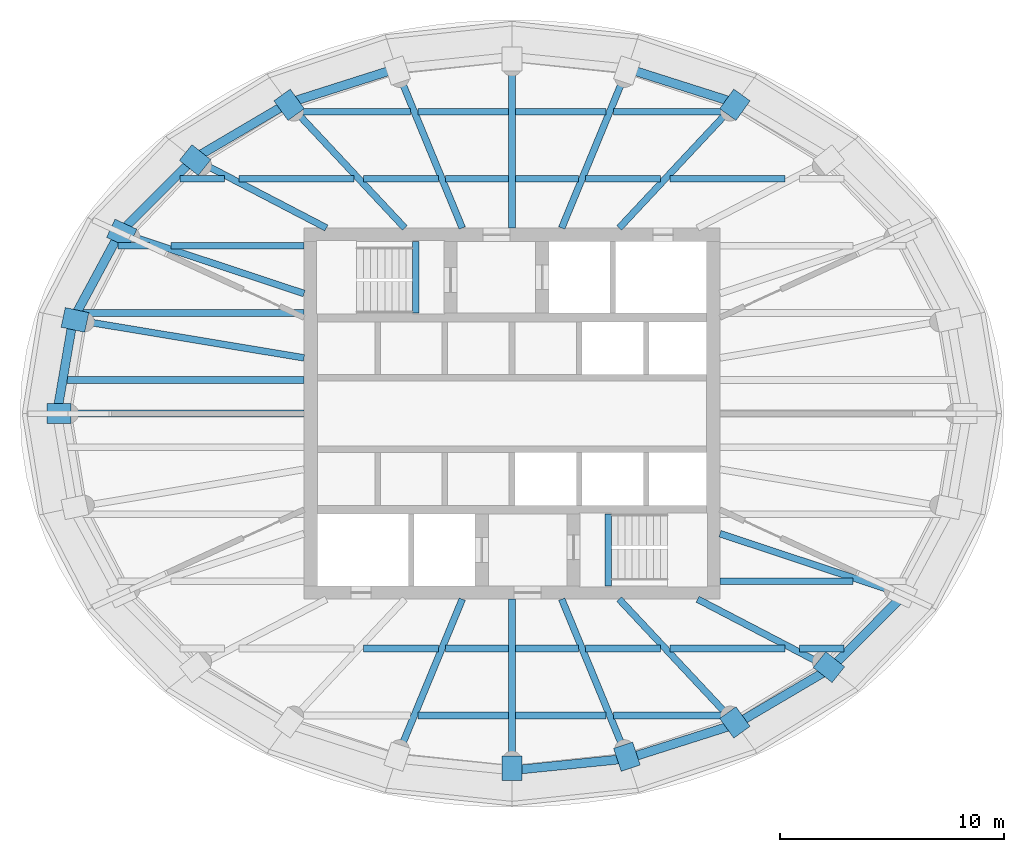
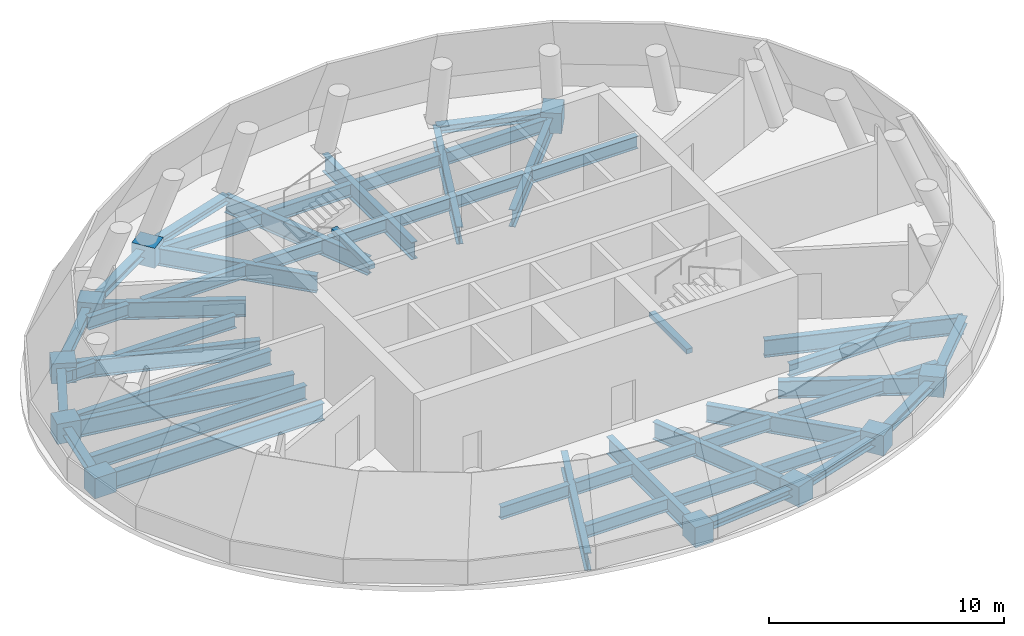
# One storey, part 2 of 6: 62 beams.
"""IFC4 building model written with IfcOpenShell, lengths in metres."""

from ifc_helpers import new_model, si_unit, direction, frame, origin, origin_2d, place, context, subcontext, project, spatial, rectangle, i_section, extrude, material, material_profile, profile_set, type_object, element, save


model = new_model("IFC4")

# Units and contexts
model_context = context("Model", 3, precision=1e-05, world=origin(), true_north=direction((0.0, 1.0)))
body_context = subcontext(model_context, "Body", "Model", "MODEL_VIEW")
ifc_project = project(units=[si_unit("LENGTHUNIT", "METRE"), si_unit("AREAUNIT", "SQUARE_METRE"), si_unit("VOLUMEUNIT", "CUBIC_METRE"), si_unit("PLANEANGLEUNIT", "RADIAN"), si_unit("MASSUNIT", "GRAM", prefix="KILO")], contexts=[model_context])

# Site, building, storey
site_placement = place(None, origin())
site = spatial("IfcSite", under=ifc_project, at=site_placement, CompositionType="ELEMENT")
building_placement = place(site_placement, origin())
building = spatial("IfcBuilding", under=site, at=building_placement, Name="Hankou Lantern Tower", CompositionType="ELEMENT")
storey_placement = place(building_placement, frame((0.0, 0.0, 232.5)))
storey = spatial("IfcBuildingStorey", under=building, at=storey_placement, Name="L63", CompositionType="ELEMENT", Elevation=232.5)

# Beams
ifc_material_1 = material(Name="Steel Q355B", Category="steel")
ifc_material_profile_1 = material_profile(ifc_material_1, i_section(OverallWidth=0.39990234375, OverallDepth=0.39990234375, WebThickness=0.012939453125, FlangeThickness=0.02099609375, FilletRadius=0.02197265625, at=origin_2d()), Name="HW400x400x13x21")
ifc_profile_set_1 = profile_set([ifc_material_profile_1], Name="Steel Q355B")
beam_type_1 = type_object("IfcBeamType", Name="EB19 RING BEAM HW400x400x13x21", PredefinedType="SPANDREL", material=ifc_profile_set_1)
for number, where, z_axis, x_axis, name in (
    (1, (10.01904296875, 13.8828125, -0.449951171875), (-0.952887359315, 0.303324381574, 0.0), (-0.303324381574, -0.952887359315, 0.0), "Ring beam R05-R06 L63"),
    (2, (-5.167236328125, 15.42724609375, -0.449951171875), (-0.952887359315, -0.303324381574, 0.0), (0.303324381574, -0.952887359315, 0.0), "Ring beam R08-R09 L63"),
):
    element("IfcBeam", number, at=place(storey_placement, frame(where, z_axis=z_axis, x_axis=x_axis)), inside=storey, type_object=beam_type_1, Name=name, PredefinedType="SPANDREL", context=body_context, shape_type="SweptSolid", body=[
        extrude(i_section(OverallWidth=0.39990234375, OverallDepth=0.39990234375, WebThickness=0.012939453125, FlangeThickness=0.02099609375, FilletRadius=0.02197265625, at=origin_2d()), origin(), (0.0, 0.0, 1.0), 5.091796875),
    ])
beam_1_placement = place(storey_placement, frame((-10.01904296875, 13.8828125, -0.449951171875), z_axis=(-0.861422897323, -0.507888365655, 0.0), x_axis=(0.507888365655, -0.861422897323, 0.0)))
element("IfcBeam", 3, at=beam_1_placement, inside=storey, type_object=beam_type_1, Name="Ring beam R09-R10 L63", PredefinedType="SPANDREL", context=body_context, shape_type="SweptSolid", body=[
    extrude(i_section(OverallWidth=0.39990234375, OverallDepth=0.39990234375, WebThickness=0.012939453125, FlangeThickness=0.02099609375, FilletRadius=0.02197265625, at=origin_2d()), origin(), (0.0, 0.0, 1.0), 4.901611328125),
])
beam_2_placement = place(storey_placement, frame((-14.241455078125, 11.393310546875, -0.449951171875), z_axis=(-0.706608588034, -0.707604623583, 0.0), x_axis=(0.707604623583, -0.706608588034, 0.0)))
element("IfcBeam", 4, at=beam_2_placement, inside=storey, type_object=beam_type_1, Name="Ring beam R10-R11 L63", PredefinedType="SPANDREL", context=body_context, shape_type="SweptSolid", body=[
    extrude(i_section(OverallWidth=0.39990234375, OverallDepth=0.39990234375, WebThickness=0.012939453125, FlangeThickness=0.02099609375, FilletRadius=0.02197265625, at=origin_2d()), origin(), (0.0, 0.0, 1.0), 4.6572265625),
])
beam_3_placement = place(storey_placement, frame((-17.5322265625, 8.097900390625, -0.449951171875), z_axis=(-0.474491806611, -0.880259919262, 0.0), x_axis=(0.880259919262, -0.474491806611, 0.0)))
element("IfcBeam", 5, at=beam_3_placement, inside=storey, type_object=beam_type_1, Name="Ring beam R11-R12 L63", PredefinedType="SPANDREL", context=body_context, shape_type="SweptSolid", body=[
    extrude(i_section(OverallWidth=0.39990234375, OverallDepth=0.39990234375, WebThickness=0.012939453125, FlangeThickness=0.02099609375, FilletRadius=0.02197265625, at=origin_2d()), origin(), (0.0, 0.0, 1.0), 4.419189453125),
])
beam_4_placement = place(storey_placement, frame((-19.629150390625, 4.207763671875, -0.449951171875), z_axis=(-0.168876512999, -0.98563721691, 0.0), x_axis=(0.98563721691, -0.168876512999, 0.0)))
element("IfcBeam", 6, at=beam_4_placement, inside=storey, type_object=beam_type_1, Name="Ring beam R12-R13 L63", PredefinedType="SPANDREL", context=body_context, shape_type="SweptSolid", body=[
    extrude(i_section(OverallWidth=0.39990234375, OverallDepth=0.39990234375, WebThickness=0.012939453125, FlangeThickness=0.02099609375, FilletRadius=0.02197265625, at=origin_2d()), origin(), (0.0, 0.0, 1.0), 4.26904296875),
])
beam_5_placement = place(storey_placement, frame((0.0, -15.949951171875, -0.449951171875), z_axis=(0.994922507736, 0.100643944676, 0.0), x_axis=(-0.100643944676, 0.994922507736, 0.0)))
element("IfcBeam", 7, at=beam_5_placement, inside=storey, type_object=beam_type_1, Name="Ring beam R19-R20 L63", PredefinedType="SPANDREL", context=body_context, shape_type="SweptSolid", body=[
    extrude(i_section(OverallWidth=0.39990234375, OverallDepth=0.39990234375, WebThickness=0.012939453125, FlangeThickness=0.02099609375, FilletRadius=0.02197265625, at=origin_2d()), origin(), (0.0, 0.0, 1.0), 5.193603515625),
])
beam_6_placement = place(storey_placement, frame((5.167236328125, -15.42724609375, -0.449951171875), z_axis=(0.952887359315, 0.303324381574, 0.0), x_axis=(-0.303324381574, 0.952887359315, 0.0)))
element("IfcBeam", 8, at=beam_6_placement, inside=storey, type_object=beam_type_1, Name="Ring beam R20-R21 L63", PredefinedType="SPANDREL", context=body_context, shape_type="SweptSolid", body=[
    extrude(i_section(OverallWidth=0.39990234375, OverallDepth=0.39990234375, WebThickness=0.012939453125, FlangeThickness=0.02099609375, FilletRadius=0.02197265625, at=origin_2d()), origin(), (0.0, 0.0, 1.0), 5.091796875),
])
beam_7_placement = place(storey_placement, frame((10.01904296875, -13.8828125, -0.449951171875), z_axis=(0.861422897323, 0.507888365655, 0.0), x_axis=(-0.507888365655, 0.861422897323, 0.0)))
element("IfcBeam", 9, at=beam_7_placement, inside=storey, type_object=beam_type_1, Name="Ring beam R21-R22 L63", PredefinedType="SPANDREL", context=body_context, shape_type="SweptSolid", body=[
    extrude(i_section(OverallWidth=0.39990234375, OverallDepth=0.39990234375, WebThickness=0.012939453125, FlangeThickness=0.02099609375, FilletRadius=0.02197265625, at=origin_2d()), origin(), (0.0, 0.0, 1.0), 4.901611328125),
])
beam_8_placement = place(storey_placement, frame((14.241455078125, -11.393310546875, -0.449951171875), z_axis=(0.706608588034, 0.707604623583, 0.0), x_axis=(-0.707604623583, 0.706608588034, 0.0)))
element("IfcBeam", 10, at=beam_8_placement, inside=storey, type_object=beam_type_1, Name="Ring beam R22-R23 L63", PredefinedType="SPANDREL", context=body_context, shape_type="SweptSolid", body=[
    extrude(i_section(OverallWidth=0.39990234375, OverallDepth=0.39990234375, WebThickness=0.012939453125, FlangeThickness=0.02099609375, FilletRadius=0.02197265625, at=origin_2d()), origin(), (0.0, 0.0, 1.0), 4.6572265625),
])
ifc_material_2 = material(Name="Concrete C40", Category="concrete")
ifc_material_profile_2 = material_profile(ifc_material_2, rectangle(XDim=0.300048828125, YDim=0.25, at=origin_2d()), Name="RC 300x250")
ifc_profile_set_2 = profile_set([ifc_material_profile_2], Name="Concrete C40")
beam_type_2 = type_object("IfcBeamType", Name="LB1 STAIR LANDING BEAM RC 300x250", PredefinedType="BEAM", material=ifc_profile_set_2)
for number, where, z_axis, x_axis, name in (
    (11, (-4.300048828125, 4.5, 2.27490234375), (0.0, 1.0, 0.0), (-1.0, 0.0, 0.0), "Stair STA landing beam L63"),
    (12, (4.300048828125, -4.5, 2.27490234375), (0.0, -1.0, 0.0), (1.0, 0.0, 0.0), "Stair STB landing beam L63"),
):
    element("IfcBeam", number, at=place(storey_placement, frame(where, z_axis=z_axis, x_axis=x_axis)), inside=storey, type_object=beam_type_2, Name=name, PredefinedType="BEAM", context=body_context, shape_type="SweptSolid", body=[
        extrude(rectangle(XDim=0.300048828125, YDim=0.25, at=origin_2d()), origin(), (0.0, 0.0, 1.0), 3.199951171875),
    ])
ifc_material_3 = material(Name="Steel Q355B", Category="steel")
ifc_material_profile_3 = material_profile(ifc_material_3, i_section(OverallWidth=0.300048828125, OverallDepth=0.89990234375, WebThickness=0.01611328125, FlangeThickness=0.028076171875, FilletRadius=0.01806640625, at=origin_2d()), Name="HN900x300x16x28")
ifc_profile_set_3 = profile_set([ifc_material_profile_3], Name="Steel Q355B")
beam_type_3 = type_object("IfcBeamType", Name="RB13 RADIAL BEAM HN900x300x16x28", PredefinedType="BEAM", material=ifc_profile_set_3)
beam_9_placement = place(storey_placement, frame((4.7919921875, 8.300048828125, -0.699951171875), z_axis=(0.68346844743, 0.729980055459, 0.0), x_axis=(-0.729980055459, 0.68346844743, 0.0)))
element("IfcBeam", 13, at=beam_9_placement, inside=storey, type_object=beam_type_3, Name="Radial beam R05 L63", PredefinedType="BEAM", context=body_context, shape_type="SweptSolid", body=[
    extrude(i_section(OverallWidth=0.300048828125, OverallDepth=0.89990234375, WebThickness=0.01611328125, FlangeThickness=0.028076171875, FilletRadius=0.01806640625, at=origin_2d()), origin(), (0.0, 0.0, 1.0), 7.64794921875),
])
beam_10_placement = place(storey_placement, frame((2.223876953125, 8.300048828125, -0.699951171875), z_axis=(0.381706648123, 0.924283525104, 0.0), x_axis=(-0.924283525104, 0.381706648123, 0.0)))
element("IfcBeam", 14, at=beam_10_placement, inside=storey, type_object=beam_type_3, Name="Radial beam R06 L63", PredefinedType="BEAM", context=body_context, shape_type="SweptSolid", body=[
    extrude(i_section(OverallWidth=0.300048828125, OverallDepth=0.89990234375, WebThickness=0.01611328125, FlangeThickness=0.028076171875, FilletRadius=0.01806640625, at=origin_2d()), origin(), (0.0, 0.0, 1.0), 7.7109375),
])
beam_11_placement = place(storey_placement, frame((0.0, 8.300048828125, -0.699951171875), z_axis=(0.0, 1.0, 0.0), x_axis=(-1.0, 0.0, 0.0)))
element("IfcBeam", 15, at=beam_11_placement, inside=storey, type_object=beam_type_3, Name="Radial beam R07 L63", PredefinedType="BEAM", context=body_context, shape_type="SweptSolid", body=[
    extrude(i_section(OverallWidth=0.300048828125, OverallDepth=0.89990234375, WebThickness=0.01611328125, FlangeThickness=0.028076171875, FilletRadius=0.01806640625, at=origin_2d()), origin(), (0.0, 0.0, 1.0), 7.64990234375),
])
beam_12_placement = place(storey_placement, frame((-2.223876953125, 8.300048828125, -0.699951171875), z_axis=(-0.381706648123, 0.924283525104, 0.0), x_axis=(-0.924283525104, -0.381706648123, 0.0)))
element("IfcBeam", 16, at=beam_12_placement, inside=storey, type_object=beam_type_3, Name="Radial beam R08 L63", PredefinedType="BEAM", context=body_context, shape_type="SweptSolid", body=[
    extrude(i_section(OverallWidth=0.300048828125, OverallDepth=0.89990234375, WebThickness=0.01611328125, FlangeThickness=0.028076171875, FilletRadius=0.01806640625, at=origin_2d()), origin(), (0.0, 0.0, 1.0), 7.7109375),
])
beam_13_placement = place(storey_placement, frame((-4.7919921875, 8.300048828125, -0.699951171875), z_axis=(-0.68346844743, 0.729980055459, 0.0), x_axis=(-0.729980055459, -0.68346844743, 0.0)))
element("IfcBeam", 17, at=beam_13_placement, inside=storey, type_object=beam_type_3, Name="Radial beam R09 L63", PredefinedType="BEAM", context=body_context, shape_type="SweptSolid", body=[
    extrude(i_section(OverallWidth=0.300048828125, OverallDepth=0.89990234375, WebThickness=0.01611328125, FlangeThickness=0.028076171875, FilletRadius=0.01806640625, at=origin_2d()), origin(), (0.0, 0.0, 1.0), 7.64794921875),
])
beam_14_placement = place(storey_placement, frame((-8.300048828125, 8.300048828125, -0.699951171875), z_axis=(-0.886988734783, 0.461791061378, 0.0), x_axis=(-0.461791061378, -0.886988734783, 0.0)))
element("IfcBeam", 18, at=beam_14_placement, inside=storey, type_object=beam_type_3, Name="Radial beam R10 L63", PredefinedType="BEAM", context=body_context, shape_type="SweptSolid", body=[
    extrude(i_section(OverallWidth=0.300048828125, OverallDepth=0.89990234375, WebThickness=0.01611328125, FlangeThickness=0.028076171875, FilletRadius=0.01806640625, at=origin_2d()), origin(), (0.0, 0.0, 1.0), 6.698486328125),
])
beam_15_placement = place(storey_placement, frame((-9.300048828125, 5.369384765625, -0.699951171875), z_axis=(-0.949219608576, 0.314614263337, 0.0), x_axis=(-0.314614263337, -0.949219608576, 0.0)))
element("IfcBeam", 19, at=beam_15_placement, inside=storey, type_object=beam_type_3, Name="Radial beam R11 L63", PredefinedType="BEAM", context=body_context, shape_type="SweptSolid", body=[
    extrude(i_section(OverallWidth=0.300048828125, OverallDepth=0.89990234375, WebThickness=0.01611328125, FlangeThickness=0.028076171875, FilletRadius=0.01806640625, at=origin_2d()), origin(), (0.0, 0.0, 1.0), 8.672607421875),
])
beam_16_placement = place(storey_placement, frame((-9.300048828125, 2.491943359375, -0.699951171875), z_axis=(-0.986482007061, 0.163869612027, 0.0), x_axis=(-0.163869612027, -0.986482007061, 0.0)))
element("IfcBeam", 20, at=beam_16_placement, inside=storey, type_object=beam_type_3, Name="Radial beam R12 L63", PredefinedType="BEAM", context=body_context, shape_type="SweptSolid", body=[
    extrude(i_section(OverallWidth=0.300048828125, OverallDepth=0.89990234375, WebThickness=0.01611328125, FlangeThickness=0.028076171875, FilletRadius=0.01806640625, at=origin_2d()), origin(), (0.0, 0.0, 1.0), 10.470703125),
])
beam_17_placement = place(storey_placement, frame((-9.300048828125, 0.0, -0.699951171875), z_axis=(-1.0, 0.0, 0.0), x_axis=(0.0, -1.0, 0.0)))
element("IfcBeam", 21, at=beam_17_placement, inside=storey, type_object=beam_type_3, Name="Radial beam R13 L63", PredefinedType="BEAM", context=body_context, shape_type="SweptSolid", body=[
    extrude(i_section(OverallWidth=0.300048828125, OverallDepth=0.89990234375, WebThickness=0.01611328125, FlangeThickness=0.028076171875, FilletRadius=0.01806640625, at=origin_2d()), origin(), (0.0, 0.0, 1.0), 11.050048828125),
])
beam_18_placement = place(storey_placement, frame((-2.223876953125, -8.300048828125, -0.699951171875), z_axis=(-0.381706648123, -0.924283525104, 0.0), x_axis=(0.924283525104, -0.381706648123, 0.0)))
element("IfcBeam", 22, at=beam_18_placement, inside=storey, type_object=beam_type_3, Name="Radial beam R18 L63", PredefinedType="BEAM", context=body_context, shape_type="SweptSolid", body=[
    extrude(i_section(OverallWidth=0.300048828125, OverallDepth=0.89990234375, WebThickness=0.01611328125, FlangeThickness=0.028076171875, FilletRadius=0.01806640625, at=origin_2d()), origin(), (0.0, 0.0, 1.0), 7.7109375),
])
beam_19_placement = place(storey_placement, frame((0.0, -8.300048828125, -0.699951171875), z_axis=(0.0, -1.0, 0.0), x_axis=(1.0, 0.0, 0.0)))
element("IfcBeam", 23, at=beam_19_placement, inside=storey, type_object=beam_type_3, Name="Radial beam R19 L63", PredefinedType="BEAM", context=body_context, shape_type="SweptSolid", body=[
    extrude(i_section(OverallWidth=0.300048828125, OverallDepth=0.89990234375, WebThickness=0.01611328125, FlangeThickness=0.028076171875, FilletRadius=0.01806640625, at=origin_2d()), origin(), (0.0, 0.0, 1.0), 7.64990234375),
])
beam_20_placement = place(storey_placement, frame((2.223876953125, -8.300048828125, -0.699951171875), z_axis=(0.381706648123, -0.924283525104, 0.0), x_axis=(0.924283525104, 0.381706648123, 0.0)))
element("IfcBeam", 24, at=beam_20_placement, inside=storey, type_object=beam_type_3, Name="Radial beam R20 L63", PredefinedType="BEAM", context=body_context, shape_type="SweptSolid", body=[
    extrude(i_section(OverallWidth=0.300048828125, OverallDepth=0.89990234375, WebThickness=0.01611328125, FlangeThickness=0.028076171875, FilletRadius=0.01806640625, at=origin_2d()), origin(), (0.0, 0.0, 1.0), 7.7109375),
])
beam_21_placement = place(storey_placement, frame((4.7919921875, -8.300048828125, -0.699951171875), z_axis=(0.68346844743, -0.729980055459, 0.0), x_axis=(0.729980055459, 0.68346844743, 0.0)))
element("IfcBeam", 25, at=beam_21_placement, inside=storey, type_object=beam_type_3, Name="Radial beam R21 L63", PredefinedType="BEAM", context=body_context, shape_type="SweptSolid", body=[
    extrude(i_section(OverallWidth=0.300048828125, OverallDepth=0.89990234375, WebThickness=0.01611328125, FlangeThickness=0.028076171875, FilletRadius=0.01806640625, at=origin_2d()), origin(), (0.0, 0.0, 1.0), 7.64794921875),
])
beam_22_placement = place(storey_placement, frame((8.300048828125, -8.300048828125, -0.699951171875), z_axis=(0.886988734783, -0.461791061378, 0.0), x_axis=(0.461791061378, 0.886988734783, 0.0)))
element("IfcBeam", 26, at=beam_22_placement, inside=storey, type_object=beam_type_3, Name="Radial beam R22 L63", PredefinedType="BEAM", context=body_context, shape_type="SweptSolid", body=[
    extrude(i_section(OverallWidth=0.300048828125, OverallDepth=0.89990234375, WebThickness=0.01611328125, FlangeThickness=0.028076171875, FilletRadius=0.01806640625, at=origin_2d()), origin(), (0.0, 0.0, 1.0), 6.698486328125),
])
beam_23_placement = place(storey_placement, frame((9.300048828125, -5.369384765625, -0.699951171875), z_axis=(0.949219608576, -0.314614263337, 0.0), x_axis=(0.314614263337, 0.949219608576, 0.0)))
element("IfcBeam", 27, at=beam_23_placement, inside=storey, type_object=beam_type_3, Name="Radial beam R23 L63", PredefinedType="BEAM", context=body_context, shape_type="SweptSolid", body=[
    extrude(i_section(OverallWidth=0.300048828125, OverallDepth=0.89990234375, WebThickness=0.01611328125, FlangeThickness=0.028076171875, FilletRadius=0.01806640625, at=origin_2d()), origin(), (0.0, 0.0, 1.0), 8.672607421875),
])
ifc_material_4 = material(Name="Steel Q355B", Category="steel")
ifc_material_profile_4 = material_profile(ifc_material_4, i_section(OverallWidth=0.300048828125, OverallDepth=0.75, WebThickness=0.012939453125, FlangeThickness=0.02392578125, FilletRadius=0.01806640625, at=origin_2d()), Name="HN750x300x13x24")
ifc_profile_set_4 = profile_set([ifc_material_profile_4], Name="Steel Q355B")
beam_type_4 = type_object("IfcBeamType", Name="SB10 SECONDARY BEAM HN750x300x13x24", PredefinedType="JOIST", material=ifc_profile_set_4)
beam_24_placement = place(storey_placement, frame((-19.89013671875, 1.5, -0.625), z_axis=(1.0, 0.0, 0.0), x_axis=(0.0, 1.0, 0.0)))
element("IfcBeam", 28, at=beam_24_placement, inside=storey, type_object=beam_type_4, Name="Floor joist J021 L63", PredefinedType="JOIST", context=body_context, shape_type="SweptSolid", body=[
    extrude(i_section(OverallWidth=0.300048828125, OverallDepth=0.75, WebThickness=0.012939453125, FlangeThickness=0.02392578125, FilletRadius=0.01806640625, at=origin_2d()), origin(), (0.0, 0.0, 1.0), 10.590087890625),
])
beam_25_placement = place(storey_placement, frame((-19.244384765625, 4.5, -0.625), z_axis=(1.0, 0.0, 0.0), x_axis=(0.0, 1.0, 0.0)))
element("IfcBeam", 29, at=beam_25_placement, inside=storey, type_object=beam_type_4, Name="Floor joist J023 L63", PredefinedType="JOIST", context=body_context, shape_type="SweptSolid", body=[
    extrude(i_section(OverallWidth=0.300048828125, OverallDepth=0.75, WebThickness=0.012939453125, FlangeThickness=0.02392578125, FilletRadius=0.01806640625, at=origin_2d()), origin(), (0.0, 0.0, 1.0), 9.9443359375),
])
ifc_material_5 = material(Name="Steel Q355B", Category="steel")
ifc_material_profile_5 = material_profile(ifc_material_5, i_section(OverallWidth=0.300048828125, OverallDepth=0.64990234375, WebThickness=0.010986328125, FlangeThickness=0.01708984375, FilletRadius=0.01806640625, at=origin_2d()), Name="HN650x300x11x17")
ifc_profile_set_5 = profile_set([ifc_material_profile_5], Name="Steel Q355B")
beam_type_5 = type_object("IfcBeamType", Name="SB8 SECONDARY BEAM HN650x300x11x17", PredefinedType="JOIST", material=ifc_profile_set_5)
for number, where, z_axis, x_axis, name in (
    (30, (-4.208984375, -13.5, -0.574951171875), (1.0, 0.0, 0.0), (0.0, 1.0, 0.0), "Floor joist J002 L63"),
    (31, (0.14990234375, -13.5, -0.574951171875), (1.0, 0.0, 0.0), (0.0, 1.0, 0.0), "Floor joist J003 L63"),
):
    element("IfcBeam", number, at=place(storey_placement, frame(where, z_axis=z_axis, x_axis=x_axis)), inside=storey, type_object=beam_type_5, Name=name, PredefinedType="JOIST", context=body_context, shape_type="SweptSolid", body=[
        extrude(i_section(OverallWidth=0.300048828125, OverallDepth=0.64990234375, WebThickness=0.010986328125, FlangeThickness=0.01708984375, FilletRadius=0.01806640625, at=origin_2d()), origin(), (0.0, 0.0, 1.0), 4.05908203125),
    ])
beam_26_placement = place(storey_placement, frame((4.53369140625, -13.5, -0.574951171875), z_axis=(1.0, 0.0, 0.0), x_axis=(0.0, 1.0, 0.0)))
element("IfcBeam", 32, at=beam_26_placement, inside=storey, type_object=beam_type_5, Name="Floor joist J004 L63", PredefinedType="JOIST", context=body_context, shape_type="SweptSolid", body=[
    extrude(i_section(OverallWidth=0.300048828125, OverallDepth=0.64990234375, WebThickness=0.010986328125, FlangeThickness=0.01708984375, FilletRadius=0.01806640625, at=origin_2d()), origin(), (0.0, 0.0, 1.0), 4.92138671875),
])
beam_27_placement = place(storey_placement, frame((-6.646240234375, -10.5, -0.574951171875), z_axis=(1.0, 0.0, 0.0), x_axis=(0.0, 1.0, 0.0)))
element("IfcBeam", 33, at=beam_27_placement, inside=storey, type_object=beam_type_5, Name="Floor joist J007 L63", PredefinedType="JOIST", context=body_context, shape_type="SweptSolid", body=[
    extrude(i_section(OverallWidth=0.300048828125, OverallDepth=0.64990234375, WebThickness=0.010986328125, FlangeThickness=0.01708984375, FilletRadius=0.01806640625, at=origin_2d()), origin(), (0.0, 0.0, 1.0), 3.3515625),
])
for number, where, z_axis, x_axis, name in (
    (34, (-2.97021484375, -10.5, -0.574951171875), (1.0, 0.0, 0.0), (0.0, 1.0, 0.0), "Floor joist J008 L63"),
    (35, (0.14990234375, -10.5, -0.574951171875), (1.0, 0.0, 0.0), (0.0, 1.0, 0.0), "Floor joist J009 L63"),
):
    element("IfcBeam", number, at=place(storey_placement, frame(where, z_axis=z_axis, x_axis=x_axis)), inside=storey, type_object=beam_type_5, Name=name, PredefinedType="JOIST", context=body_context, shape_type="SweptSolid", body=[
        extrude(i_section(OverallWidth=0.300048828125, OverallDepth=0.64990234375, WebThickness=0.010986328125, FlangeThickness=0.01708984375, FilletRadius=0.01806640625, at=origin_2d()), origin(), (0.0, 0.0, 1.0), 2.8203125),
    ])
beam_28_placement = place(storey_placement, frame((3.294677734375, -10.5, -0.574951171875), z_axis=(1.0, 0.0, 0.0), x_axis=(0.0, 1.0, 0.0)))
element("IfcBeam", 36, at=beam_28_placement, inside=storey, type_object=beam_type_5, Name="Floor joist J010 L63", PredefinedType="JOIST", context=body_context, shape_type="SweptSolid", body=[
    extrude(i_section(OverallWidth=0.300048828125, OverallDepth=0.64990234375, WebThickness=0.010986328125, FlangeThickness=0.01708984375, FilletRadius=0.01806640625, at=origin_2d()), origin(), (0.0, 0.0, 1.0), 3.3515625),
])
beam_29_placement = place(storey_placement, frame((7.057373046875, -10.5, -0.574951171875), z_axis=(1.0, 0.0, 0.0), x_axis=(0.0, 1.0, 0.0)))
element("IfcBeam", 37, at=beam_29_placement, inside=storey, type_object=beam_type_5, Name="Floor joist J011 L63", PredefinedType="JOIST", context=body_context, shape_type="SweptSolid", body=[
    extrude(i_section(OverallWidth=0.300048828125, OverallDepth=0.64990234375, WebThickness=0.010986328125, FlangeThickness=0.01708984375, FilletRadius=0.01806640625, at=origin_2d()), origin(), (0.0, 0.0, 1.0), 5.1435546875),
])
beam_30_placement = place(storey_placement, frame((12.8505859375, -10.5, -0.574951171875), z_axis=(1.0, 0.0, 0.0), x_axis=(0.0, 1.0, 0.0)))
element("IfcBeam", 38, at=beam_30_placement, inside=storey, type_object=beam_type_5, Name="Floor joist J012 L63", PredefinedType="JOIST", context=body_context, shape_type="SweptSolid", body=[
    extrude(i_section(OverallWidth=0.300048828125, OverallDepth=0.64990234375, WebThickness=0.010986328125, FlangeThickness=0.01708984375, FilletRadius=0.01806640625, at=origin_2d()), origin(), (0.0, 0.0, 1.0), 2.000244140625),
])
beam_31_placement = place(storey_placement, frame((9.300048828125, -7.5, -0.574951171875), z_axis=(1.0, 0.0, 0.0), x_axis=(0.0, 1.0, 0.0)))
element("IfcBeam", 39, at=beam_31_placement, inside=storey, type_object=beam_type_5, Name="Floor joist J015 L63", PredefinedType="JOIST", context=body_context, shape_type="SweptSolid", body=[
    extrude(i_section(OverallWidth=0.300048828125, OverallDepth=0.64990234375, WebThickness=0.010986328125, FlangeThickness=0.01708984375, FilletRadius=0.01806640625, at=origin_2d()), origin(), (0.0, 0.0, 1.0), 5.95166015625),
])
beam_32_placement = place(storey_placement, frame((-17.627197265625, 7.5, -0.574951171875), z_axis=(1.0, 0.0, 0.0), x_axis=(0.0, 1.0, 0.0)))
element("IfcBeam", 40, at=beam_32_placement, inside=storey, type_object=beam_type_5, Name="Floor joist J025 L63", PredefinedType="JOIST", context=body_context, shape_type="SweptSolid", body=[
    extrude(i_section(OverallWidth=0.300048828125, OverallDepth=0.64990234375, WebThickness=0.010986328125, FlangeThickness=0.01708984375, FilletRadius=0.01806640625, at=origin_2d()), origin(), (0.0, 0.0, 1.0), 1.421875),
])
beam_33_placement = place(storey_placement, frame((-15.251708984375, 7.5, -0.574951171875), z_axis=(1.0, 0.0, 0.0), x_axis=(0.0, 1.0, 0.0)))
element("IfcBeam", 41, at=beam_33_placement, inside=storey, type_object=beam_type_5, Name="Floor joist J026 L63", PredefinedType="JOIST", context=body_context, shape_type="SweptSolid", body=[
    extrude(i_section(OverallWidth=0.300048828125, OverallDepth=0.64990234375, WebThickness=0.010986328125, FlangeThickness=0.01708984375, FilletRadius=0.01806640625, at=origin_2d()), origin(), (0.0, 0.0, 1.0), 5.95166015625),
])
beam_34_placement = place(storey_placement, frame((-14.850830078125, 10.5, -0.574951171875), z_axis=(1.0, 0.0, 0.0), x_axis=(0.0, 1.0, 0.0)))
element("IfcBeam", 42, at=beam_34_placement, inside=storey, type_object=beam_type_5, Name="Floor joist J029 L63", PredefinedType="JOIST", context=body_context, shape_type="SweptSolid", body=[
    extrude(i_section(OverallWidth=0.300048828125, OverallDepth=0.64990234375, WebThickness=0.010986328125, FlangeThickness=0.01708984375, FilletRadius=0.01806640625, at=origin_2d()), origin(), (0.0, 0.0, 1.0), 2.000244140625),
])
beam_35_placement = place(storey_placement, frame((-12.200927734375, 10.5, -0.574951171875), z_axis=(1.0, 0.0, 0.0), x_axis=(0.0, 1.0, 0.0)))
element("IfcBeam", 43, at=beam_35_placement, inside=storey, type_object=beam_type_5, Name="Floor joist J030 L63", PredefinedType="JOIST", context=body_context, shape_type="SweptSolid", body=[
    extrude(i_section(OverallWidth=0.300048828125, OverallDepth=0.64990234375, WebThickness=0.010986328125, FlangeThickness=0.01708984375, FilletRadius=0.01806640625, at=origin_2d()), origin(), (0.0, 0.0, 1.0), 5.1435546875),
])
beam_36_placement = place(storey_placement, frame((-6.646240234375, 10.5, -0.574951171875), z_axis=(1.0, 0.0, 0.0), x_axis=(0.0, 1.0, 0.0)))
element("IfcBeam", 44, at=beam_36_placement, inside=storey, type_object=beam_type_5, Name="Floor joist J031 L63", PredefinedType="JOIST", context=body_context, shape_type="SweptSolid", body=[
    extrude(i_section(OverallWidth=0.300048828125, OverallDepth=0.64990234375, WebThickness=0.010986328125, FlangeThickness=0.01708984375, FilletRadius=0.01806640625, at=origin_2d()), origin(), (0.0, 0.0, 1.0), 3.3515625),
])
for number, where, z_axis, x_axis, name in (
    (45, (-2.97021484375, 10.5, -0.574951171875), (1.0, 0.0, 0.0), (0.0, 1.0, 0.0), "Floor joist J032 L63"),
    (46, (0.14990234375, 10.5, -0.574951171875), (1.0, 0.0, 0.0), (0.0, 1.0, 0.0), "Floor joist J033 L63"),
):
    element("IfcBeam", number, at=place(storey_placement, frame(where, z_axis=z_axis, x_axis=x_axis)), inside=storey, type_object=beam_type_5, Name=name, PredefinedType="JOIST", context=body_context, shape_type="SweptSolid", body=[
        extrude(i_section(OverallWidth=0.300048828125, OverallDepth=0.64990234375, WebThickness=0.010986328125, FlangeThickness=0.01708984375, FilletRadius=0.01806640625, at=origin_2d()), origin(), (0.0, 0.0, 1.0), 2.8203125),
    ])
beam_37_placement = place(storey_placement, frame((3.294677734375, 10.5, -0.574951171875), z_axis=(1.0, 0.0, 0.0), x_axis=(0.0, 1.0, 0.0)))
element("IfcBeam", 47, at=beam_37_placement, inside=storey, type_object=beam_type_5, Name="Floor joist J034 L63", PredefinedType="JOIST", context=body_context, shape_type="SweptSolid", body=[
    extrude(i_section(OverallWidth=0.300048828125, OverallDepth=0.64990234375, WebThickness=0.010986328125, FlangeThickness=0.01708984375, FilletRadius=0.01806640625, at=origin_2d()), origin(), (0.0, 0.0, 1.0), 3.3515625),
])
beam_38_placement = place(storey_placement, frame((7.057373046875, 10.5, -0.574951171875), z_axis=(1.0, 0.0, 0.0), x_axis=(0.0, 1.0, 0.0)))
element("IfcBeam", 48, at=beam_38_placement, inside=storey, type_object=beam_type_5, Name="Floor joist J035 L63", PredefinedType="JOIST", context=body_context, shape_type="SweptSolid", body=[
    extrude(i_section(OverallWidth=0.300048828125, OverallDepth=0.64990234375, WebThickness=0.010986328125, FlangeThickness=0.01708984375, FilletRadius=0.01806640625, at=origin_2d()), origin(), (0.0, 0.0, 1.0), 5.1435546875),
])
beam_39_placement = place(storey_placement, frame((-9.455078125, 13.5, -0.574951171875), z_axis=(1.0, 0.0, 0.0), x_axis=(0.0, 1.0, 0.0)))
element("IfcBeam", 49, at=beam_39_placement, inside=storey, type_object=beam_type_5, Name="Floor joist J037 L63", PredefinedType="JOIST", context=body_context, shape_type="SweptSolid", body=[
    extrude(i_section(OverallWidth=0.300048828125, OverallDepth=0.64990234375, WebThickness=0.010986328125, FlangeThickness=0.01708984375, FilletRadius=0.01806640625, at=origin_2d()), origin(), (0.0, 0.0, 1.0), 4.92138671875),
])
for number, where, z_axis, x_axis, name in (
    (50, (-4.208984375, 13.5, -0.574951171875), (1.0, 0.0, 0.0), (0.0, 1.0, 0.0), "Floor joist J038 L63"),
    (51, (0.14990234375, 13.5, -0.574951171875), (1.0, 0.0, 0.0), (0.0, 1.0, 0.0), "Floor joist J039 L63"),
):
    element("IfcBeam", number, at=place(storey_placement, frame(where, z_axis=z_axis, x_axis=x_axis)), inside=storey, type_object=beam_type_5, Name=name, PredefinedType="JOIST", context=body_context, shape_type="SweptSolid", body=[
        extrude(i_section(OverallWidth=0.300048828125, OverallDepth=0.64990234375, WebThickness=0.010986328125, FlangeThickness=0.01708984375, FilletRadius=0.01806640625, at=origin_2d()), origin(), (0.0, 0.0, 1.0), 4.05908203125),
    ])
beam_40_placement = place(storey_placement, frame((4.53369140625, 13.5, -0.574951171875), z_axis=(1.0, 0.0, 0.0), x_axis=(0.0, 1.0, 0.0)))
element("IfcBeam", 52, at=beam_40_placement, inside=storey, type_object=beam_type_5, Name="Floor joist J040 L63", PredefinedType="JOIST", context=body_context, shape_type="SweptSolid", body=[
    extrude(i_section(OverallWidth=0.300048828125, OverallDepth=0.64990234375, WebThickness=0.010986328125, FlangeThickness=0.01708984375, FilletRadius=0.01806640625, at=origin_2d()), origin(), (0.0, 0.0, 1.0), 4.92138671875),
])
ifc_material_6 = material(Name="Concrete C50", Category="concrete")
ifc_material_profile_6 = material_profile(ifc_material_6, rectangle(XDim=0.89990234375, YDim=1.050048828125, at=origin_2d()), Name="RC 900x1050")
ifc_profile_set_6 = profile_set([ifc_material_profile_6], Name="Concrete C50")
beam_type_6 = type_object("IfcBeamType", Name="TN4 TRANSFER NODE RC 900x1050", PredefinedType="BEAM", material=ifc_profile_set_6)
for number, where, z_axis, x_axis, name in (
    (53, (10.282470703125, 14.247802734375, -0.52490234375), (-0.585251178106, -0.810852057114, 0.0), (0.810852057114, -0.585251178106, 0.0), "Transfer node R05 L63"),
    (54, (-10.282470703125, 14.247802734375, -0.52490234375), (0.585251178106, -0.810852057114, 0.0), (0.810852057114, 0.585251178106, 0.0), "Transfer node R09 L63"),
    (55, (-14.593017578125, 11.67431640625, -0.52490234375), (0.780979062227, -0.624557206638, 0.0), (0.624557206638, 0.780979062227, 0.0), "Transfer node R10 L63"),
):
    element("IfcBeam", number, at=place(storey_placement, frame(where, z_axis=z_axis, x_axis=x_axis)), inside=storey, type_object=beam_type_6, Name=name, PredefinedType="BEAM", context=body_context, shape_type="SweptSolid", body=[
        extrude(rectangle(XDim=0.89990234375, YDim=1.050048828125, at=origin_2d()), origin(), (0.0, 0.0, 1.0), 1.080078125),
    ])
for number, where, z_axis, x_axis, name in (
    (56, (-17.940673828125, 8.286376953125, -0.52490234375), (0.907919679342, -0.419144194597, 0.0), (0.419144194597, 0.907919679342, 0.0), "Transfer node R11 L63"),
    (57, (-20.069091796875, 4.302001953125, -0.52490234375), (0.977792487553, -0.209575407159, 0.0), (0.209575407159, 0.977792487553, 0.0), "Transfer node R12 L63"),
):
    element("IfcBeam", number, at=place(storey_placement, frame(where, z_axis=z_axis, x_axis=x_axis)), inside=storey, type_object=beam_type_6, Name=name, PredefinedType="BEAM", context=body_context, shape_type="SweptSolid", body=[
        extrude(rectangle(XDim=0.89990234375, YDim=1.050048828125, at=origin_2d()), origin(), (0.0, 0.0, 1.0), 1.079833984375),
    ])
beam_41_placement = place(storey_placement, frame((-20.800048828125, 0.0, -0.52490234375), z_axis=(1.0, 0.0, 0.0), x_axis=(0.0, 1.0, 0.0)))
element("IfcBeam", 58, at=beam_41_placement, inside=storey, type_object=beam_type_6, Name="Transfer node R13 L63", PredefinedType="BEAM", context=body_context, shape_type="SweptSolid", body=[
    extrude(rectangle(XDim=0.89990234375, YDim=1.050048828125, at=origin_2d()), origin(), (0.0, 0.0, 1.0), 1.080078125),
])
beam_42_placement = place(storey_placement, frame((0.0, -16.39990234375, -0.52490234375), z_axis=(0.0, 1.0, 0.0), x_axis=(-1.0, 0.0, 0.0)))
element("IfcBeam", 59, at=beam_42_placement, inside=storey, type_object=beam_type_6, Name="Transfer node R19 L63", PredefinedType="BEAM", context=body_context, shape_type="SweptSolid", body=[
    extrude(rectangle(XDim=0.89990234375, YDim=1.050048828125, at=origin_2d()), origin(), (0.0, 0.0, 1.0), 1.079833984375),
])
for number, where, z_axis, x_axis, name in (
    (60, (5.31005859375, -15.85400390625, -0.52490234375), (-0.317583672079, 0.948230252222, 0.0), (-0.948230252222, -0.317583672079, 0.0), "Transfer node R20 L63"),
    (61, (10.282470703125, -14.247802734375, -0.52490234375), (-0.585251178106, 0.810852057114, 0.0), (-0.810852057114, -0.585251178106, 0.0), "Transfer node R21 L63"),
    (62, (14.593017578125, -11.67431640625, -0.52490234375), (-0.780979062227, 0.624557206638, 0.0), (-0.624557206638, -0.780979062227, 0.0), "Transfer node R22 L63"),
):
    element("IfcBeam", number, at=place(storey_placement, frame(where, z_axis=z_axis, x_axis=x_axis)), inside=storey, type_object=beam_type_6, Name=name, PredefinedType="BEAM", context=body_context, shape_type="SweptSolid", body=[
        extrude(rectangle(XDim=0.89990234375, YDim=1.050048828125, at=origin_2d()), origin(), (0.0, 0.0, 1.0), 1.080078125),
    ])

save(model, "model.ifc")
